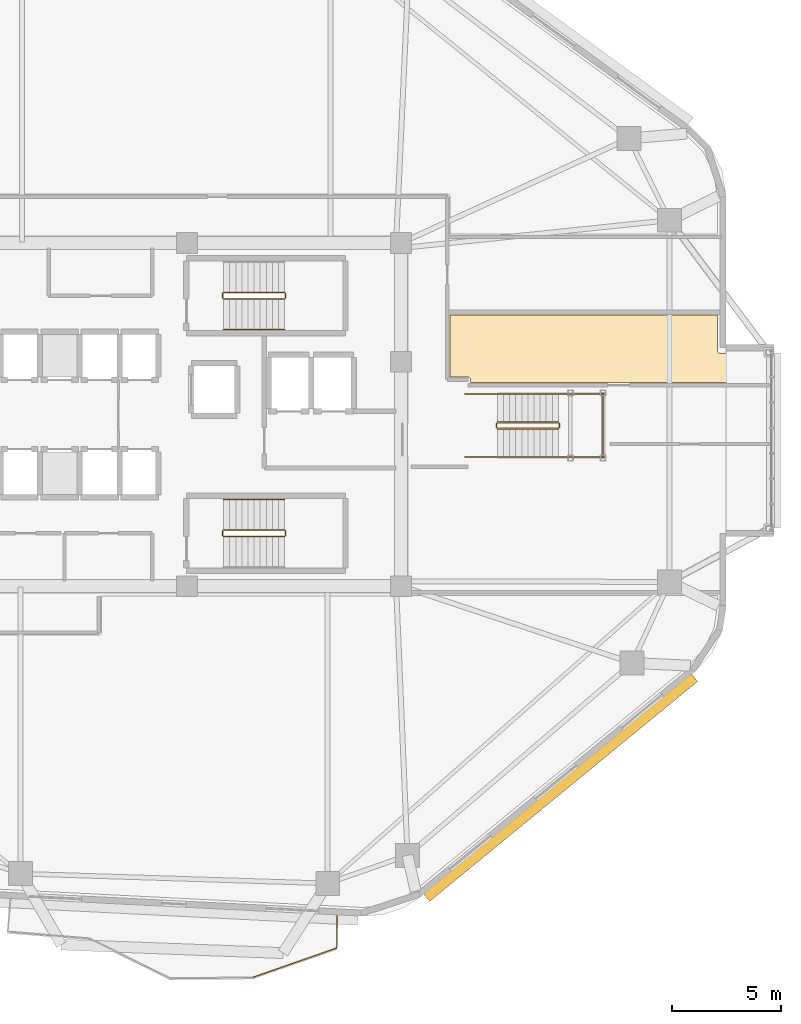
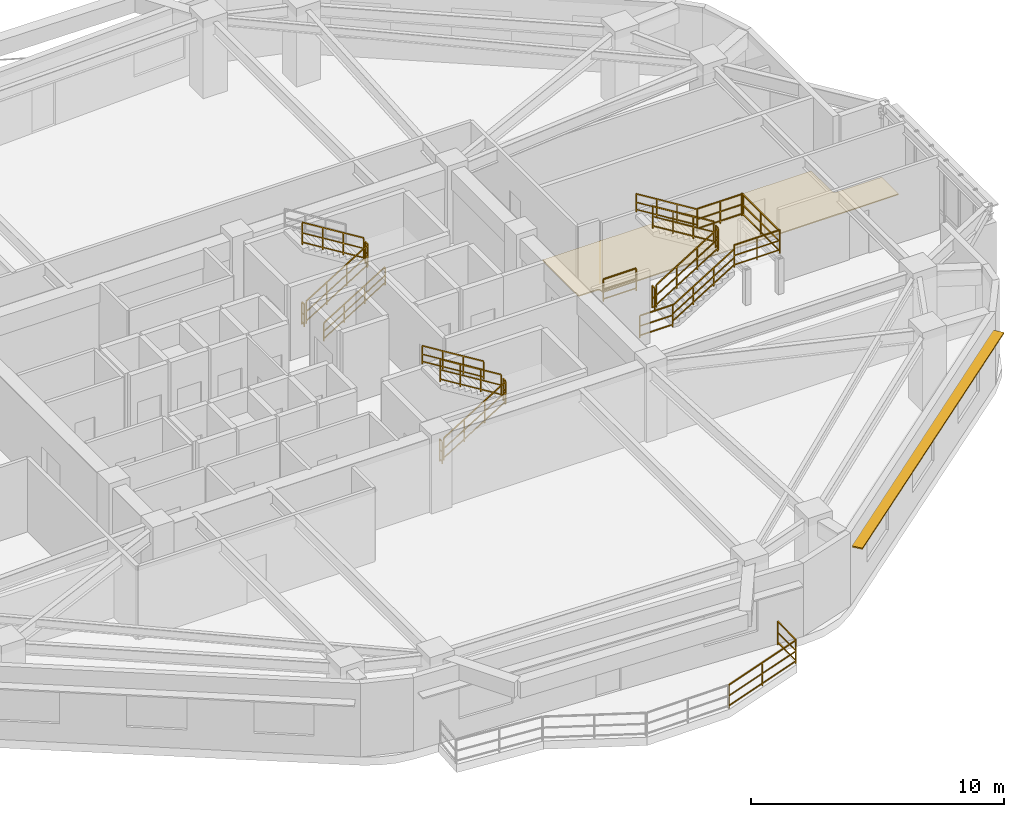
# One storey, part 14 of 16: 23 railings, 1 covering, 1 shading device.
"""IFC4 building model written with IfcOpenShell, lengths in metres."""

from ifc_helpers import new_model, si_unit, direction, frame, origin, origin_2d, place, context, subcontext, project, spatial, polyline, rectangle, outline, extrude, material, layer, layer_set, type_object, element, save


model = new_model("IFC4")

# Units and contexts
model_context = context("Model", 3, precision=1e-05, world=origin(), true_north=direction((0.0, 1.0)))
body_context = subcontext(model_context, "Body", "Model", "MODEL_VIEW")
ifc_project = project(units=[si_unit("LENGTHUNIT", "METRE"), si_unit("AREAUNIT", "SQUARE_METRE"), si_unit("VOLUMEUNIT", "CUBIC_METRE"), si_unit("PLANEANGLEUNIT", "RADIAN"), si_unit("MASSUNIT", "GRAM", prefix="KILO")], contexts=[model_context])

# Site, building, storey
site_placement = place(None, origin())
site = spatial("IfcSite", under=ifc_project, at=site_placement, CompositionType="ELEMENT")
building_placement = place(site_placement, origin())
building = spatial("IfcBuilding", under=site, at=building_placement, Name="Zulverin Broadcast Headquarters", CompositionType="ELEMENT")
storey_placement = place(building_placement, frame((0.0, 0.0, 125.0)))
storey = spatial("IfcBuildingStorey", under=building, at=storey_placement, Name="L31", CompositionType="ELEMENT", Elevation=125.0)

# Covering
ifc_material_1 = material(Name="Anti-static broadcast raised access flooring", Category="stone")
ifc_layer_1 = layer(ifc_material_1, 0.050048828125, Name="Anti-static broadcast raised access flooring", Category="stone")
ifc_layer_set_1 = layer_set([ifc_layer_1], Name="Anti-static broadcast raised access flooring")
covering_type = type_object("IfcCoveringType", Name="COV-FLR-RAISED", PredefinedType="FLOORING", material=ifc_layer_set_1)
covering_placement = place(storey_placement, origin())
element("IfcCovering", 1, at=covering_placement, inside=storey, type_object=covering_type, Name="L31 Broadcast Raised Access Flooring 02", PredefinedType="FLOORING", context=body_context, shape_type="SweptSolid", body=[
    extrude(outline(polyline([(51.471923828125, 26.81201171875), (51.471923828125, 26.800048828125), (51.471923828125, 26.672119140625), (65.0, 26.672119140625), (65.0, 28.011962890625), (62.919921875, 28.011962890625), (62.907958984375, 28.011962890625), (62.89599609375, 28.01611328125), (62.884033203125, 28.01611328125), (62.8759765625, 28.02001953125), (62.864013671875, 28.028076171875), (62.85205078125, 28.031982421875), (62.843994140625, 28.0400390625), (62.8359375, 28.048095703125), (62.827880859375, 28.055908203125), (62.820068359375, 28.06396484375), (62.81591796875, 28.075927734375), (62.80810546875, 28.087890625), (62.803955078125, 28.095947265625), (62.803955078125, 28.10791015625), (62.800048828125, 28.1201171875), (62.800048828125, 28.132080078125), (62.800048828125, 29.780029296875), (50.52001953125, 29.780029296875), (50.52001953125, 26.919921875), (51.35205078125, 26.919921875), (51.364013671875, 26.919921875), (51.3759765625, 26.916015625), (51.387939453125, 26.916015625), (51.39599609375, 26.912109375), (51.407958984375, 26.904052734375), (51.419921875, 26.89990234375), (51.427978515625, 26.89208984375), (51.43603515625, 26.884033203125), (51.444091796875, 26.8759765625), (51.451904296875, 26.867919921875), (51.4560546875, 26.85595703125), (51.464111328125, 26.843994140625), (51.468017578125, 26.8359375), (51.468017578125, 26.823974609375), (51.471923828125, 26.81201171875)])), origin(), (0.0, 0.0, 1.0), 0.050048828125),
])

# Railings
ifc_material_2 = material(Name="Brushed stainless steel & laminated glass balustrade", Category="steel")
railing_type_1 = type_object("IfcRailingType", Name="RL-GUARD-1150", PredefinedType="GUARDRAIL", material=ifc_material_2)
railing_1_placement = place(storey_placement, frame((41.48291015625, -0.63037109375, 0.0)))
element("IfcRailing", 2, at=railing_1_placement, inside=storey, type_object=railing_type_1, Name="L31 Vertical-Forest Balcony Guardrail BAL_S Segment 05", PredefinedType="GUARDRAIL", context=body_context, shape_type="SweptSolid", body=[
    extrude(rectangle(XDim=0.048095703125, YDim=0.048095703125, at=origin_2d()), frame((0.0, 0.0, 1.1259765625), z_axis=(0.943975655416, 0.330015093568, 0.0), x_axis=(-0.330015093568, 0.943975655416, 0.0)), (0.0, 0.0, 1.0), 4.053955078125),
    extrude(rectangle(XDim=0.0419921875, YDim=0.0419921875, at=origin_2d()), frame((0.0, 0.0, 0.597900390625), z_axis=(0.943975655416, 0.330015093568, 0.0), x_axis=(-0.330015093568, 0.943975655416, 0.0)), (0.0, 0.0, 1.0), 4.053955078125),
    extrude(rectangle(XDim=0.0419921875, YDim=0.0419921875, at=origin_2d()), frame((0.0, 0.0, 0.1201171875), z_axis=(0.943975655416, 0.330015093568, 0.0), x_axis=(-0.330015093568, 0.943975655416, 0.0)), (0.0, 0.0, 1.0), 4.053955078125),
    extrude(rectangle(XDim=0.0419921875, YDim=0.0419921875, at=origin_2d()), origin(), (0.0, 0.0, 1.0), 1.101806640625),
    extrude(rectangle(XDim=0.0419921875, YDim=0.0419921875, at=origin_2d()), frame((1.91357421875, 0.6689453125, 0.0)), (0.0, 0.0, 1.0), 1.101806640625),
    extrude(rectangle(XDim=0.0419921875, YDim=0.0419921875, at=origin_2d()), frame((3.826904296875, 1.337890625, 0.0)), (0.0, 0.0, 1.0), 1.101806640625),
])
railing_2_placement = place(storey_placement, frame((45.32421875, 0.7275390625, 0.0)))
element("IfcRailing", 3, at=railing_2_placement, inside=storey, type_object=railing_type_1, Name="L31 Vertical-Forest Balcony Guardrail BAL_S Segment 06", PredefinedType="GUARDRAIL", context=body_context, shape_type="SweptSolid", body=[
    extrude(rectangle(XDim=0.048095703125, YDim=0.048095703125, at=origin_2d()), frame((0.0, 0.0, 1.1259765625), z_axis=(0.009658167329, 0.999953358814, 0.0), x_axis=(-0.999953358814, 0.009658167329, 0.0)), (0.0, 0.0, 1.0), 1.466064453125),
    extrude(rectangle(XDim=0.0419921875, YDim=0.0419921875, at=origin_2d()), frame((0.0, 0.0, 0.597900390625), z_axis=(0.009658167329, 0.999953358814, 0.0), x_axis=(-0.999953358814, 0.009658167329, 0.0)), (0.0, 0.0, 1.0), 1.466064453125),
    extrude(rectangle(XDim=0.0419921875, YDim=0.0419921875, at=origin_2d()), frame((0.0, 0.0, 0.1201171875), z_axis=(0.009658167329, 0.999953358814, 0.0), x_axis=(-0.999953358814, 0.009658167329, 0.0)), (0.0, 0.0, 1.0), 1.466064453125),
    extrude(rectangle(XDim=0.0419921875, YDim=0.0419921875, at=origin_2d()), origin(), (0.0, 0.0, 1.0), 1.101806640625),
    extrude(rectangle(XDim=0.0419921875, YDim=0.0419921875, at=origin_2d()), frame((0.01416015625, 1.466064453125, 0.0)), (0.0, 0.0, 1.0), 1.101806640625),
])
ifc_material_3 = material(Name="Painted galvanized steel tubular guardrail S355JR", Category="steel")
railing_type_2 = type_object("IfcRailingType", Name="RL-ST-GUARD", PredefinedType="GUARDRAIL", material=ifc_material_3)
railing_3_placement = place(storey_placement, frame((40.1298828125, 30.5, 0.172607421875)))
element("IfcRailing", 4, at=railing_3_placement, inside=storey, type_object=railing_type_2, Name="L31 ST-1 stair guard 1", PredefinedType="GUARDRAIL", context=body_context, shape_type="SweptSolid", body=[
    extrude(rectangle(XDim=0.048095703125, YDim=0.048095703125, at=origin_2d()), frame((0.0, 0.0, 1.076171875), z_axis=(0.851089632645, 0.0, 0.525020415988), x_axis=(0.0, 1.0, 0.0)), (0.0, 0.0, 1.0), 3.2900390625),
    extrude(rectangle(XDim=0.0419921875, YDim=0.0419921875, at=origin_2d()), frame((0.0, 0.0, 0.572021484375), z_axis=(0.851089632645, 0.0, 0.525020415988), x_axis=(0.0, 1.0, 0.0)), (0.0, 0.0, 1.0), 3.2900390625),
    extrude(rectangle(XDim=0.0419921875, YDim=0.0419921875, at=origin_2d()), frame((0.0, 0.0, 0.1201171875), z_axis=(0.851089632645, 0.0, 0.525020415988), x_axis=(0.0, 1.0, 0.0)), (0.0, 0.0, 1.0), 3.2900390625),
    extrude(rectangle(XDim=0.0419921875, YDim=0.0419921875, at=origin_2d()), origin(), (0.0, 0.0, 1.0), 1.052001953125),
    extrude(rectangle(XDim=0.0419921875, YDim=0.0419921875, at=origin_2d()), frame((0.933349609375, 0.0, 0.57568359375)), (0.0, 0.0, 1.0), 1.052001953125),
    extrude(rectangle(XDim=0.0419921875, YDim=0.0419921875, at=origin_2d()), frame((1.86669921875, 0.0, 1.151611328125)), (0.0, 0.0, 1.0), 1.052001953125),
    extrude(rectangle(XDim=0.0419921875, YDim=0.0419921875, at=origin_2d()), frame((2.800048828125, 0.0, 1.727294921875)), (0.0, 0.0, 1.0), 1.052001953125),
])
railing_4_placement = place(storey_placement, frame((42.97998046875, 30.550048828125, 1.89990234375)))
element("IfcRailing", 5, at=railing_4_placement, inside=storey, type_object=railing_type_2, Name="L31 ST-1 stair guard 2", PredefinedType="GUARDRAIL", context=body_context, shape_type="SweptSolid", body=[
    extrude(rectangle(XDim=0.048095703125, YDim=0.048095703125, at=origin_2d()), frame((0.0, 0.0, 1.076171875), z_axis=(0.0, 1.0, 0.0), x_axis=(-1.0, 0.0, 0.0)), (0.0, 0.0, 1.0), 0.199951171875),
    extrude(rectangle(XDim=0.0419921875, YDim=0.0419921875, at=origin_2d()), frame((0.0, 0.0, 0.572021484375), z_axis=(0.0, 1.0, 0.0), x_axis=(-1.0, 0.0, 0.0)), (0.0, 0.0, 1.0), 0.199951171875),
    extrude(rectangle(XDim=0.0419921875, YDim=0.0419921875, at=origin_2d()), frame((0.0, 0.0, 0.1201171875), z_axis=(0.0, 1.0, 0.0), x_axis=(-1.0, 0.0, 0.0)), (0.0, 0.0, 1.0), 0.199951171875),
    extrude(rectangle(XDim=0.0419921875, YDim=0.0419921875, at=origin_2d()), origin(), (0.0, 0.0, 1.0), 1.052001953125),
    extrude(rectangle(XDim=0.0419921875, YDim=0.0419921875, at=origin_2d()), frame((0.0, 0.199951171875, 0.0)), (0.0, 0.0, 1.0), 1.052001953125),
])
railing_5_placement = place(storey_placement, frame((42.929931640625, 30.800048828125, 2.07275390625)))
element("IfcRailing", 6, at=railing_5_placement, inside=storey, type_object=railing_type_2, Name="L31 ST-1 stair guard 3", PredefinedType="GUARDRAIL", context=body_context, shape_type="SweptSolid", body=[
    extrude(rectangle(XDim=0.048095703125, YDim=0.048095703125, at=origin_2d()), frame((0.0, 0.0, 1.076171875), z_axis=(-0.851089632645, 0.0, 0.525020415988), x_axis=(0.0, -1.0, 0.0)), (0.0, 0.0, 1.0), 3.2900390625),
    extrude(rectangle(XDim=0.0419921875, YDim=0.0419921875, at=origin_2d()), frame((0.0, 0.0, 0.572021484375), z_axis=(-0.851089632645, 0.0, 0.525020415988), x_axis=(0.0, -1.0, 0.0)), (0.0, 0.0, 1.0), 3.2900390625),
    extrude(rectangle(XDim=0.0419921875, YDim=0.0419921875, at=origin_2d()), frame((0.0, 0.0, 0.1201171875), z_axis=(-0.851089632645, 0.0, 0.525020415988), x_axis=(0.0, -1.0, 0.0)), (0.0, 0.0, 1.0), 3.2900390625),
    extrude(rectangle(XDim=0.0419921875, YDim=0.0419921875, at=origin_2d()), origin(), (0.0, 0.0, 1.0), 1.052001953125),
    extrude(rectangle(XDim=0.0419921875, YDim=0.0419921875, at=origin_2d()), frame((-0.933349609375, 0.0, 0.57568359375)), (0.0, 0.0, 1.0), 1.052001953125),
    extrude(rectangle(XDim=0.0419921875, YDim=0.0419921875, at=origin_2d()), frame((-1.86669921875, 0.0, 1.151611328125)), (0.0, 0.0, 1.0), 1.052001953125),
    extrude(rectangle(XDim=0.0419921875, YDim=0.0419921875, at=origin_2d()), frame((-2.800048828125, 0.0, 1.727294921875)), (0.0, 0.0, 1.0), 1.052001953125),
])
railing_6_placement = place(storey_placement, frame((40.080078125, 30.550048828125, 0.0)))
element("IfcRailing", 7, at=railing_6_placement, inside=storey, type_object=railing_type_2, Name="L31 ST-1 stair guard 4", PredefinedType="GUARDRAIL", context=body_context, shape_type="SweptSolid", body=[
    extrude(rectangle(XDim=0.048095703125, YDim=0.048095703125, at=origin_2d()), frame((0.0, 0.0, 1.076171875), z_axis=(0.0, 1.0, 0.0), x_axis=(-1.0, 0.0, 0.0)), (0.0, 0.0, 1.0), 0.199951171875),
    extrude(rectangle(XDim=0.0419921875, YDim=0.0419921875, at=origin_2d()), frame((0.0, 0.0, 0.572021484375), z_axis=(0.0, 1.0, 0.0), x_axis=(-1.0, 0.0, 0.0)), (0.0, 0.0, 1.0), 0.199951171875),
    extrude(rectangle(XDim=0.0419921875, YDim=0.0419921875, at=origin_2d()), frame((0.0, 0.0, 0.1201171875), z_axis=(0.0, 1.0, 0.0), x_axis=(-1.0, 0.0, 0.0)), (0.0, 0.0, 1.0), 0.199951171875),
    extrude(rectangle(XDim=0.0419921875, YDim=0.0419921875, at=origin_2d()), origin(), (0.0, 0.0, 1.0), 1.052001953125),
    extrude(rectangle(XDim=0.0419921875, YDim=0.0419921875, at=origin_2d()), frame((0.0, 0.199951171875, 0.0)), (0.0, 0.0, 1.0), 1.052001953125),
])
railing_7_placement = place(storey_placement, frame((40.1298828125, 19.60009765625, 0.172607421875)))
element("IfcRailing", 8, at=railing_7_placement, inside=storey, type_object=railing_type_2, Name="L31 ST-2 stair guard 1", PredefinedType="GUARDRAIL", context=body_context, shape_type="SweptSolid", body=[
    extrude(rectangle(XDim=0.048095703125, YDim=0.048095703125, at=origin_2d()), frame((0.0, 0.0, 1.076171875), z_axis=(0.851089632645, 0.0, 0.525020415988), x_axis=(0.0, 1.0, 0.0)), (0.0, 0.0, 1.0), 3.2900390625),
    extrude(rectangle(XDim=0.0419921875, YDim=0.0419921875, at=origin_2d()), frame((0.0, 0.0, 0.572021484375), z_axis=(0.851089632645, 0.0, 0.525020415988), x_axis=(0.0, 1.0, 0.0)), (0.0, 0.0, 1.0), 3.2900390625),
    extrude(rectangle(XDim=0.0419921875, YDim=0.0419921875, at=origin_2d()), frame((0.0, 0.0, 0.1201171875), z_axis=(0.851089632645, 0.0, 0.525020415988), x_axis=(0.0, 1.0, 0.0)), (0.0, 0.0, 1.0), 3.2900390625),
    extrude(rectangle(XDim=0.0419921875, YDim=0.0419921875, at=origin_2d()), origin(), (0.0, 0.0, 1.0), 1.052001953125),
    extrude(rectangle(XDim=0.0419921875, YDim=0.0419921875, at=origin_2d()), frame((0.933349609375, 0.0, 0.57568359375)), (0.0, 0.0, 1.0), 1.052001953125),
    extrude(rectangle(XDim=0.0419921875, YDim=0.0419921875, at=origin_2d()), frame((1.86669921875, 0.0, 1.151611328125)), (0.0, 0.0, 1.0), 1.052001953125),
    extrude(rectangle(XDim=0.0419921875, YDim=0.0419921875, at=origin_2d()), frame((2.800048828125, 0.0, 1.727294921875)), (0.0, 0.0, 1.0), 1.052001953125),
])
railing_8_placement = place(storey_placement, frame((42.97998046875, 19.64990234375, 1.89990234375)))
element("IfcRailing", 9, at=railing_8_placement, inside=storey, type_object=railing_type_2, Name="L31 ST-2 stair guard 2", PredefinedType="GUARDRAIL", context=body_context, shape_type="SweptSolid", body=[
    extrude(rectangle(XDim=0.048095703125, YDim=0.048095703125, at=origin_2d()), frame((0.0, 0.0, 1.076171875), z_axis=(0.0, 1.0, 0.0), x_axis=(-1.0, 0.0, 0.0)), (0.0, 0.0, 1.0), 0.2001953125),
    extrude(rectangle(XDim=0.0419921875, YDim=0.0419921875, at=origin_2d()), frame((0.0, 0.0, 0.572021484375), z_axis=(0.0, 1.0, 0.0), x_axis=(-1.0, 0.0, 0.0)), (0.0, 0.0, 1.0), 0.2001953125),
    extrude(rectangle(XDim=0.0419921875, YDim=0.0419921875, at=origin_2d()), frame((0.0, 0.0, 0.1201171875), z_axis=(0.0, 1.0, 0.0), x_axis=(-1.0, 0.0, 0.0)), (0.0, 0.0, 1.0), 0.2001953125),
    extrude(rectangle(XDim=0.0419921875, YDim=0.0419921875, at=origin_2d()), origin(), (0.0, 0.0, 1.0), 1.052001953125),
    extrude(rectangle(XDim=0.0419921875, YDim=0.0419921875, at=origin_2d()), frame((0.0, 0.2001953125, 0.0)), (0.0, 0.0, 1.0), 1.052001953125),
])
railing_9_placement = place(storey_placement, frame((42.929931640625, 19.89990234375, 2.07275390625)))
element("IfcRailing", 10, at=railing_9_placement, inside=storey, type_object=railing_type_2, Name="L31 ST-2 stair guard 3", PredefinedType="GUARDRAIL", context=body_context, shape_type="SweptSolid", body=[
    extrude(rectangle(XDim=0.048095703125, YDim=0.048095703125, at=origin_2d()), frame((0.0, 0.0, 1.076171875), z_axis=(-0.851089632645, 0.0, 0.525020415988), x_axis=(0.0, -1.0, 0.0)), (0.0, 0.0, 1.0), 3.2900390625),
    extrude(rectangle(XDim=0.0419921875, YDim=0.0419921875, at=origin_2d()), frame((0.0, 0.0, 0.572021484375), z_axis=(-0.851089632645, 0.0, 0.525020415988), x_axis=(0.0, -1.0, 0.0)), (0.0, 0.0, 1.0), 3.2900390625),
    extrude(rectangle(XDim=0.0419921875, YDim=0.0419921875, at=origin_2d()), frame((0.0, 0.0, 0.1201171875), z_axis=(-0.851089632645, 0.0, 0.525020415988), x_axis=(0.0, -1.0, 0.0)), (0.0, 0.0, 1.0), 3.2900390625),
    extrude(rectangle(XDim=0.0419921875, YDim=0.0419921875, at=origin_2d()), origin(), (0.0, 0.0, 1.0), 1.052001953125),
    extrude(rectangle(XDim=0.0419921875, YDim=0.0419921875, at=origin_2d()), frame((-0.933349609375, 0.0, 0.57568359375)), (0.0, 0.0, 1.0), 1.052001953125),
    extrude(rectangle(XDim=0.0419921875, YDim=0.0419921875, at=origin_2d()), frame((-1.86669921875, 0.0, 1.151611328125)), (0.0, 0.0, 1.0), 1.052001953125),
    extrude(rectangle(XDim=0.0419921875, YDim=0.0419921875, at=origin_2d()), frame((-2.800048828125, 0.0, 1.727294921875)), (0.0, 0.0, 1.0), 1.052001953125),
])
railing_10_placement = place(storey_placement, frame((40.080078125, 19.64990234375, 0.0)))
element("IfcRailing", 11, at=railing_10_placement, inside=storey, type_object=railing_type_2, Name="L31 ST-2 stair guard 4", PredefinedType="GUARDRAIL", context=body_context, shape_type="SweptSolid", body=[
    extrude(rectangle(XDim=0.048095703125, YDim=0.048095703125, at=origin_2d()), frame((0.0, 0.0, 1.076171875), z_axis=(0.0, 1.0, 0.0), x_axis=(-1.0, 0.0, 0.0)), (0.0, 0.0, 1.0), 0.2001953125),
    extrude(rectangle(XDim=0.0419921875, YDim=0.0419921875, at=origin_2d()), frame((0.0, 0.0, 0.572021484375), z_axis=(0.0, 1.0, 0.0), x_axis=(-1.0, 0.0, 0.0)), (0.0, 0.0, 1.0), 0.2001953125),
    extrude(rectangle(XDim=0.0419921875, YDim=0.0419921875, at=origin_2d()), frame((0.0, 0.0, 0.1201171875), z_axis=(0.0, 1.0, 0.0), x_axis=(-1.0, 0.0, 0.0)), (0.0, 0.0, 1.0), 0.2001953125),
    extrude(rectangle(XDim=0.0419921875, YDim=0.0419921875, at=origin_2d()), origin(), (0.0, 0.0, 1.0), 1.052001953125),
    extrude(rectangle(XDim=0.0419921875, YDim=0.0419921875, at=origin_2d()), frame((0.0, 0.2001953125, 0.0)), (0.0, 0.0, 1.0), 1.052001953125),
])
railing_11_placement = place(storey_placement, frame((52.699951171875, 24.550048828125, 0.172607421875)))
element("IfcRailing", 12, at=railing_11_placement, inside=storey, type_object=railing_type_2, Name="L31 ST-6 stair guard 1", PredefinedType="GUARDRAIL", context=body_context, shape_type="SweptSolid", body=[
    extrude(rectangle(XDim=0.048095703125, YDim=0.048095703125, at=origin_2d()), frame((0.0, 0.0, 1.076171875), z_axis=(0.851089632645, 0.0, 0.525020415988), x_axis=(0.0, 1.0, 0.0)), (0.0, 0.0, 1.0), 3.2900390625),
    extrude(rectangle(XDim=0.0419921875, YDim=0.0419921875, at=origin_2d()), frame((0.0, 0.0, 0.572021484375), z_axis=(0.851089632645, 0.0, 0.525020415988), x_axis=(0.0, 1.0, 0.0)), (0.0, 0.0, 1.0), 3.2900390625),
    extrude(rectangle(XDim=0.0419921875, YDim=0.0419921875, at=origin_2d()), frame((0.0, 0.0, 0.1201171875), z_axis=(0.851089632645, 0.0, 0.525020415988), x_axis=(0.0, 1.0, 0.0)), (0.0, 0.0, 1.0), 3.2900390625),
    extrude(rectangle(XDim=0.0419921875, YDim=0.0419921875, at=origin_2d()), origin(), (0.0, 0.0, 1.0), 1.052001953125),
    extrude(rectangle(XDim=0.0419921875, YDim=0.0419921875, at=origin_2d()), frame((0.933349609375, 0.0, 0.57568359375)), (0.0, 0.0, 1.0), 1.052001953125),
    extrude(rectangle(XDim=0.0419921875, YDim=0.0419921875, at=origin_2d()), frame((1.86669921875, 0.0, 1.151611328125)), (0.0, 0.0, 1.0), 1.052001953125),
    extrude(rectangle(XDim=0.0419921875, YDim=0.0419921875, at=origin_2d()), frame((2.800048828125, 0.0, 1.727294921875)), (0.0, 0.0, 1.0), 1.052001953125),
])
railing_12_placement = place(storey_placement, frame((55.550048828125, 24.60009765625, 1.89990234375)))
element("IfcRailing", 13, at=railing_12_placement, inside=storey, type_object=railing_type_2, Name="L31 ST-6 stair guard 2", PredefinedType="GUARDRAIL", context=body_context, shape_type="SweptSolid", body=[
    extrude(rectangle(XDim=0.048095703125, YDim=0.048095703125, at=origin_2d()), frame((0.0, 0.0, 1.076171875), z_axis=(0.0, 1.0, 0.0), x_axis=(-1.0, 0.0, 0.0)), (0.0, 0.0, 1.0), 0.199951171875),
    extrude(rectangle(XDim=0.0419921875, YDim=0.0419921875, at=origin_2d()), frame((0.0, 0.0, 0.572021484375), z_axis=(0.0, 1.0, 0.0), x_axis=(-1.0, 0.0, 0.0)), (0.0, 0.0, 1.0), 0.199951171875),
    extrude(rectangle(XDim=0.0419921875, YDim=0.0419921875, at=origin_2d()), frame((0.0, 0.0, 0.1201171875), z_axis=(0.0, 1.0, 0.0), x_axis=(-1.0, 0.0, 0.0)), (0.0, 0.0, 1.0), 0.199951171875),
    extrude(rectangle(XDim=0.0419921875, YDim=0.0419921875, at=origin_2d()), origin(), (0.0, 0.0, 1.0), 1.052001953125),
    extrude(rectangle(XDim=0.0419921875, YDim=0.0419921875, at=origin_2d()), frame((0.0, 0.199951171875, 0.0)), (0.0, 0.0, 1.0), 1.052001953125),
])
for number, where, name in (
    (14, (55.5, 23.25, 1.89990234375), "L31 ST-6 stair guard 3"),
    (15, (55.5, 26.14990234375, 1.89990234375), "L31 ST-6 stair guard 4"),
):
    element("IfcRailing", number, at=place(storey_placement, frame(where)), inside=storey, type_object=railing_type_2, Name=name, PredefinedType="GUARDRAIL", context=body_context, shape_type="SweptSolid", body=[
        extrude(rectangle(XDim=0.048095703125, YDim=0.048095703125, at=origin_2d()), frame((0.0, 0.0, 1.076171875), z_axis=(1.0, 0.0, 0.0), x_axis=(0.0, 1.0, 0.0)), (0.0, 0.0, 1.0), 2.10009765625),
        extrude(rectangle(XDim=0.0419921875, YDim=0.0419921875, at=origin_2d()), frame((0.0, 0.0, 0.572021484375), z_axis=(1.0, 0.0, 0.0), x_axis=(0.0, 1.0, 0.0)), (0.0, 0.0, 1.0), 2.10009765625),
        extrude(rectangle(XDim=0.0419921875, YDim=0.0419921875, at=origin_2d()), frame((0.0, 0.0, 0.1201171875), z_axis=(1.0, 0.0, 0.0), x_axis=(0.0, 1.0, 0.0)), (0.0, 0.0, 1.0), 2.10009765625),
        extrude(rectangle(XDim=0.0419921875, YDim=0.0419921875, at=origin_2d()), origin(), (0.0, 0.0, 1.0), 1.052001953125),
        extrude(rectangle(XDim=0.0419921875, YDim=0.0419921875, at=origin_2d()), frame((1.050048828125, 0.0, 0.0)), (0.0, 0.0, 1.0), 1.052001953125),
        extrude(rectangle(XDim=0.0419921875, YDim=0.0419921875, at=origin_2d()), frame((2.10009765625, 0.0, 0.0)), (0.0, 0.0, 1.0), 1.052001953125),
    ])
railing_13_placement = place(storey_placement, frame((57.550048828125, 23.199951171875, 1.89990234375)))
element("IfcRailing", 16, at=railing_13_placement, inside=storey, type_object=railing_type_2, Name="L31 ST-6 stair guard 5", PredefinedType="GUARDRAIL", context=body_context, shape_type="SweptSolid", body=[
    extrude(rectangle(XDim=0.048095703125, YDim=0.048095703125, at=origin_2d()), frame((0.0, 0.0, 1.076171875), z_axis=(0.0, 1.0, 0.0), x_axis=(-1.0, 0.0, 0.0)), (0.0, 0.0, 1.0), 3.0),
    extrude(rectangle(XDim=0.0419921875, YDim=0.0419921875, at=origin_2d()), frame((0.0, 0.0, 0.572021484375), z_axis=(0.0, 1.0, 0.0), x_axis=(-1.0, 0.0, 0.0)), (0.0, 0.0, 1.0), 3.0),
    extrude(rectangle(XDim=0.0419921875, YDim=0.0419921875, at=origin_2d()), frame((0.0, 0.0, 0.1201171875), z_axis=(0.0, 1.0, 0.0), x_axis=(-1.0, 0.0, 0.0)), (0.0, 0.0, 1.0), 3.0),
    extrude(rectangle(XDim=0.0419921875, YDim=0.0419921875, at=origin_2d()), origin(), (0.0, 0.0, 1.0), 1.052001953125),
    extrude(rectangle(XDim=0.0419921875, YDim=0.0419921875, at=origin_2d()), frame((0.0, 1.5, 0.0)), (0.0, 0.0, 1.0), 1.052001953125),
    extrude(rectangle(XDim=0.0419921875, YDim=0.0419921875, at=origin_2d()), frame((0.0, 3.0, 0.0)), (0.0, 0.0, 1.0), 1.052001953125),
])
railing_14_placement = place(storey_placement, frame((55.5, 24.85009765625, 2.07275390625)))
element("IfcRailing", 17, at=railing_14_placement, inside=storey, type_object=railing_type_2, Name="L31 ST-6 stair guard 6", PredefinedType="GUARDRAIL", context=body_context, shape_type="SweptSolid", body=[
    extrude(rectangle(XDim=0.048095703125, YDim=0.048095703125, at=origin_2d()), frame((0.0, 0.0, 1.076171875), z_axis=(-0.851089632645, 0.0, 0.525020415988), x_axis=(0.0, -1.0, 0.0)), (0.0, 0.0, 1.0), 3.2900390625),
    extrude(rectangle(XDim=0.0419921875, YDim=0.0419921875, at=origin_2d()), frame((0.0, 0.0, 0.572021484375), z_axis=(-0.851089632645, 0.0, 0.525020415988), x_axis=(0.0, -1.0, 0.0)), (0.0, 0.0, 1.0), 3.2900390625),
    extrude(rectangle(XDim=0.0419921875, YDim=0.0419921875, at=origin_2d()), frame((0.0, 0.0, 0.1201171875), z_axis=(-0.851089632645, 0.0, 0.525020415988), x_axis=(0.0, -1.0, 0.0)), (0.0, 0.0, 1.0), 3.2900390625),
    extrude(rectangle(XDim=0.0419921875, YDim=0.0419921875, at=origin_2d()), origin(), (0.0, 0.0, 1.0), 1.052001953125),
    extrude(rectangle(XDim=0.0419921875, YDim=0.0419921875, at=origin_2d()), frame((-0.933349609375, 0.0, 0.57568359375)), (0.0, 0.0, 1.0), 1.052001953125),
    extrude(rectangle(XDim=0.0419921875, YDim=0.0419921875, at=origin_2d()), frame((-1.86669921875, 0.0, 1.151611328125)), (0.0, 0.0, 1.0), 1.052001953125),
    extrude(rectangle(XDim=0.0419921875, YDim=0.0419921875, at=origin_2d()), frame((-2.800048828125, 0.0, 1.727294921875)), (0.0, 0.0, 1.0), 1.052001953125),
])
railing_15_placement = place(storey_placement, frame((52.64990234375, 24.60009765625, 0.0)))
element("IfcRailing", 18, at=railing_15_placement, inside=storey, type_object=railing_type_2, Name="L31 ST-6 stair guard 7", PredefinedType="GUARDRAIL", context=body_context, shape_type="SweptSolid", body=[
    extrude(rectangle(XDim=0.048095703125, YDim=0.048095703125, at=origin_2d()), frame((0.0, 0.0, 1.076171875), z_axis=(0.0, 1.0, 0.0), x_axis=(-1.0, 0.0, 0.0)), (0.0, 0.0, 1.0), 0.199951171875),
    extrude(rectangle(XDim=0.0419921875, YDim=0.0419921875, at=origin_2d()), frame((0.0, 0.0, 0.572021484375), z_axis=(0.0, 1.0, 0.0), x_axis=(-1.0, 0.0, 0.0)), (0.0, 0.0, 1.0), 0.199951171875),
    extrude(rectangle(XDim=0.0419921875, YDim=0.0419921875, at=origin_2d()), frame((0.0, 0.0, 0.1201171875), z_axis=(0.0, 1.0, 0.0), x_axis=(-1.0, 0.0, 0.0)), (0.0, 0.0, 1.0), 0.199951171875),
    extrude(rectangle(XDim=0.0419921875, YDim=0.0419921875, at=origin_2d()), origin(), (0.0, 0.0, 1.0), 1.052001953125),
    extrude(rectangle(XDim=0.0419921875, YDim=0.0419921875, at=origin_2d()), frame((0.0, 0.199951171875, 0.0)), (0.0, 0.0, 1.0), 1.052001953125),
])
for number, where, name in (
    (19, (51.199951171875, 23.25, 0.0), "L31 ST-6 stair guard 8"),
    (20, (51.199951171875, 26.14990234375, 0.0), "L31 ST-6 stair guard 9"),
):
    element("IfcRailing", number, at=place(storey_placement, frame(where)), inside=storey, type_object=railing_type_2, Name=name, PredefinedType="GUARDRAIL", context=body_context, shape_type="SweptSolid", body=[
        extrude(rectangle(XDim=0.048095703125, YDim=0.048095703125, at=origin_2d()), frame((0.0, 0.0, 1.076171875), z_axis=(1.0, 0.0, 0.0), x_axis=(0.0, 1.0, 0.0)), (0.0, 0.0, 1.0), 1.5),
        extrude(rectangle(XDim=0.0419921875, YDim=0.0419921875, at=origin_2d()), frame((0.0, 0.0, 0.572021484375), z_axis=(1.0, 0.0, 0.0), x_axis=(0.0, 1.0, 0.0)), (0.0, 0.0, 1.0), 1.5),
        extrude(rectangle(XDim=0.0419921875, YDim=0.0419921875, at=origin_2d()), frame((0.0, 0.0, 0.1201171875), z_axis=(1.0, 0.0, 0.0), x_axis=(0.0, 1.0, 0.0)), (0.0, 0.0, 1.0), 1.5),
        extrude(rectangle(XDim=0.0419921875, YDim=0.0419921875, at=origin_2d()), origin(), (0.0, 0.0, 1.0), 1.052001953125),
        extrude(rectangle(XDim=0.0419921875, YDim=0.0419921875, at=origin_2d()), frame((1.5, 0.0, 0.0)), (0.0, 0.0, 1.0), 1.052001953125),
    ])
ifc_material_4 = material(Name="Brushed stainless steel 48 mm handrail", Category="steel")
railing_type_3 = type_object("IfcRailingType", Name="RL-ST-HAND", PredefinedType="HANDRAIL", material=ifc_material_4)
railing_16_placement = place(storey_placement, frame((40.1298828125, 29.10009765625, 0.172607421875)))
element("IfcRailing", 21, at=railing_16_placement, inside=storey, type_object=railing_type_3, Name="L31 ST-1 stair handrail 1", PredefinedType="HANDRAIL", context=body_context, shape_type="SweptSolid", body=[
    extrude(rectangle(XDim=0.048095703125, YDim=0.048095703125, at=origin_2d()), frame((0.0, 0.0, 0.8759765625), z_axis=(0.851089632645, 0.0, 0.525020415988), x_axis=(0.0, 1.0, 0.0)), (0.0, 0.0, 1.0), 3.2900390625),
    extrude(rectangle(XDim=0.0419921875, YDim=0.0419921875, at=origin_2d()), frame((0.0, 0.0, 0.468017578125), z_axis=(0.851089632645, 0.0, 0.525020415988), x_axis=(0.0, 1.0, 0.0)), (0.0, 0.0, 1.0), 3.2900390625),
    extrude(rectangle(XDim=0.0419921875, YDim=0.0419921875, at=origin_2d()), frame((0.0, 0.0, 0.1201171875), z_axis=(0.851089632645, 0.0, 0.525020415988), x_axis=(0.0, 1.0, 0.0)), (0.0, 0.0, 1.0), 3.2900390625),
    extrude(rectangle(XDim=0.0419921875, YDim=0.0419921875, at=origin_2d()), origin(), (0.0, 0.0, 1.0), 0.851806640625),
    extrude(rectangle(XDim=0.0419921875, YDim=0.0419921875, at=origin_2d()), frame((0.933349609375, 0.0, 0.57568359375)), (0.0, 0.0, 1.0), 0.851806640625),
    extrude(rectangle(XDim=0.0419921875, YDim=0.0419921875, at=origin_2d()), frame((1.86669921875, 0.0, 1.151611328125)), (0.0, 0.0, 1.0), 0.851806640625),
    extrude(rectangle(XDim=0.0419921875, YDim=0.0419921875, at=origin_2d()), frame((2.800048828125, 0.0, 1.727294921875)), (0.0, 0.0, 1.0), 0.851806640625),
])
railing_17_placement = place(storey_placement, frame((42.929931640625, 21.300048828125, 2.07275390625)))
element("IfcRailing", 22, at=railing_17_placement, inside=storey, type_object=railing_type_3, Name="L31 ST-2 stair handrail 2", PredefinedType="HANDRAIL", context=body_context, shape_type="SweptSolid", body=[
    extrude(rectangle(XDim=0.048095703125, YDim=0.048095703125, at=origin_2d()), frame((0.0, 0.0, 0.8759765625), z_axis=(-0.851089632645, 0.0, 0.525020415988), x_axis=(0.0, -1.0, 0.0)), (0.0, 0.0, 1.0), 3.2900390625),
    extrude(rectangle(XDim=0.0419921875, YDim=0.0419921875, at=origin_2d()), frame((0.0, 0.0, 0.468017578125), z_axis=(-0.851089632645, 0.0, 0.525020415988), x_axis=(0.0, -1.0, 0.0)), (0.0, 0.0, 1.0), 3.2900390625),
    extrude(rectangle(XDim=0.0419921875, YDim=0.0419921875, at=origin_2d()), frame((0.0, 0.0, 0.1201171875), z_axis=(-0.851089632645, 0.0, 0.525020415988), x_axis=(0.0, -1.0, 0.0)), (0.0, 0.0, 1.0), 3.2900390625),
    extrude(rectangle(XDim=0.0419921875, YDim=0.0419921875, at=origin_2d()), origin(), (0.0, 0.0, 1.0), 0.851806640625),
    extrude(rectangle(XDim=0.0419921875, YDim=0.0419921875, at=origin_2d()), frame((-0.933349609375, 0.0, 0.57568359375)), (0.0, 0.0, 1.0), 0.851806640625),
    extrude(rectangle(XDim=0.0419921875, YDim=0.0419921875, at=origin_2d()), frame((-1.86669921875, 0.0, 1.151611328125)), (0.0, 0.0, 1.0), 0.851806640625),
    extrude(rectangle(XDim=0.0419921875, YDim=0.0419921875, at=origin_2d()), frame((-2.800048828125, 0.0, 1.727294921875)), (0.0, 0.0, 1.0), 0.851806640625),
])
railing_18_placement = place(storey_placement, frame((52.699951171875, 23.25, 0.172607421875)))
element("IfcRailing", 23, at=railing_18_placement, inside=storey, type_object=railing_type_3, Name="L31 ST-6 stair handrail 1", PredefinedType="HANDRAIL", context=body_context, shape_type="SweptSolid", body=[
    extrude(rectangle(XDim=0.048095703125, YDim=0.048095703125, at=origin_2d()), frame((0.0, 0.0, 0.8759765625), z_axis=(0.851089632645, 0.0, 0.525020415988), x_axis=(0.0, 1.0, 0.0)), (0.0, 0.0, 1.0), 3.2900390625),
    extrude(rectangle(XDim=0.0419921875, YDim=0.0419921875, at=origin_2d()), frame((0.0, 0.0, 0.468017578125), z_axis=(0.851089632645, 0.0, 0.525020415988), x_axis=(0.0, 1.0, 0.0)), (0.0, 0.0, 1.0), 3.2900390625),
    extrude(rectangle(XDim=0.0419921875, YDim=0.0419921875, at=origin_2d()), frame((0.0, 0.0, 0.1201171875), z_axis=(0.851089632645, 0.0, 0.525020415988), x_axis=(0.0, 1.0, 0.0)), (0.0, 0.0, 1.0), 3.2900390625),
    extrude(rectangle(XDim=0.0419921875, YDim=0.0419921875, at=origin_2d()), origin(), (0.0, 0.0, 1.0), 0.851806640625),
    extrude(rectangle(XDim=0.0419921875, YDim=0.0419921875, at=origin_2d()), frame((0.933349609375, 0.0, 0.57568359375)), (0.0, 0.0, 1.0), 0.851806640625),
    extrude(rectangle(XDim=0.0419921875, YDim=0.0419921875, at=origin_2d()), frame((1.86669921875, 0.0, 1.151611328125)), (0.0, 0.0, 1.0), 0.851806640625),
    extrude(rectangle(XDim=0.0419921875, YDim=0.0419921875, at=origin_2d()), frame((2.800048828125, 0.0, 1.727294921875)), (0.0, 0.0, 1.0), 0.851806640625),
])
railing_19_placement = place(storey_placement, frame((55.5, 26.14990234375, 2.07275390625)))
element("IfcRailing", 24, at=railing_19_placement, inside=storey, type_object=railing_type_3, Name="L31 ST-6 stair handrail 2", PredefinedType="HANDRAIL", context=body_context, shape_type="SweptSolid", body=[
    extrude(rectangle(XDim=0.048095703125, YDim=0.048095703125, at=origin_2d()), frame((0.0, 0.0, 0.8759765625), z_axis=(-0.851089632645, 0.0, 0.525020415988), x_axis=(0.0, -1.0, 0.0)), (0.0, 0.0, 1.0), 3.2900390625),
    extrude(rectangle(XDim=0.0419921875, YDim=0.0419921875, at=origin_2d()), frame((0.0, 0.0, 0.468017578125), z_axis=(-0.851089632645, 0.0, 0.525020415988), x_axis=(0.0, -1.0, 0.0)), (0.0, 0.0, 1.0), 3.2900390625),
    extrude(rectangle(XDim=0.0419921875, YDim=0.0419921875, at=origin_2d()), frame((0.0, 0.0, 0.1201171875), z_axis=(-0.851089632645, 0.0, 0.525020415988), x_axis=(0.0, -1.0, 0.0)), (0.0, 0.0, 1.0), 3.2900390625),
    extrude(rectangle(XDim=0.0419921875, YDim=0.0419921875, at=origin_2d()), origin(), (0.0, 0.0, 1.0), 0.851806640625),
    extrude(rectangle(XDim=0.0419921875, YDim=0.0419921875, at=origin_2d()), frame((-0.933349609375, 0.0, 0.57568359375)), (0.0, 0.0, 1.0), 0.851806640625),
    extrude(rectangle(XDim=0.0419921875, YDim=0.0419921875, at=origin_2d()), frame((-1.86669921875, 0.0, 1.151611328125)), (0.0, 0.0, 1.0), 0.851806640625),
    extrude(rectangle(XDim=0.0419921875, YDim=0.0419921875, at=origin_2d()), frame((-2.800048828125, 0.0, 1.727294921875)), (0.0, 0.0, 1.0), 0.851806640625),
])

# Shading device
ifc_material_5 = material(Name="Anodized pale-metal aluminium sunshade", Category="aluminium")
ifc_layer_2 = layer(ifc_material_5, 0.06005859375, Name="Anodized pale-metal aluminium sunshade", Category="aluminium")
ifc_layer_set_2 = layer_set([ifc_layer_2], Name="Anodized pale-metal aluminium sunshade")
shading_device_type = type_object("IfcShadingDeviceType", Name="SS-01_PALE_METAL_ALUMINIUM_SUNSHADE", PredefinedType="USERDEFINED", material=ifc_layer_set_2)
shading_device_placement = place(storey_placement, frame((55.598388671875, 8.075439453125, 2.7099609375), z_axis=(0.0, 0.0, 1.0), x_axis=(0.77293958613, 0.634479626302, 0.0)))
element("IfcShadingDevice", 25, at=shading_device_placement, inside=storey, type_object=shading_device_type, Name="L31 Horizontal Pale-Metal Sunshade Band 2", ObjectType="SUNSHADE", PredefinedType="USERDEFINED", context=body_context, shape_type="SweptSolid", body=[
    extrude(rectangle(XDim=15.90869140625, YDim=0.449951171875, at=origin_2d()), origin(), (0.0, 0.0, 1.0), 0.06005859375),
])

save(model, "model.ifc")
